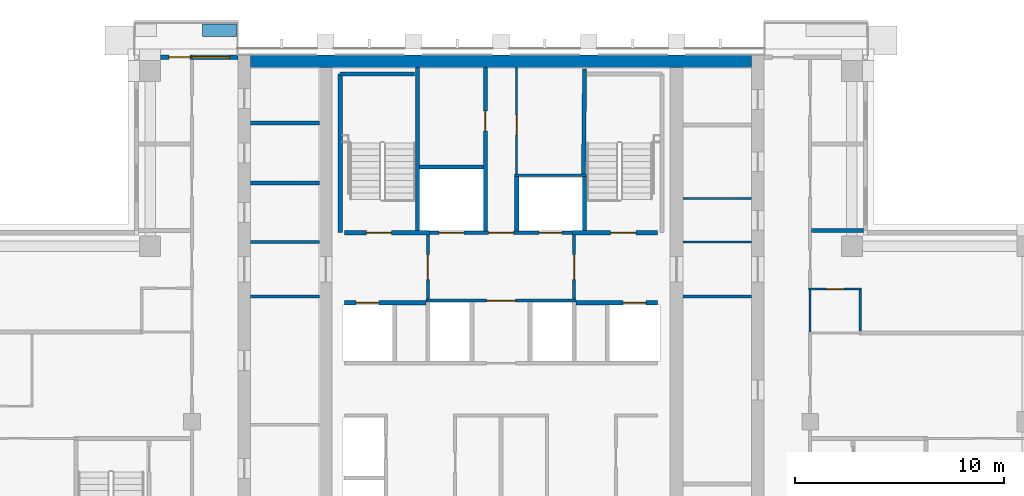
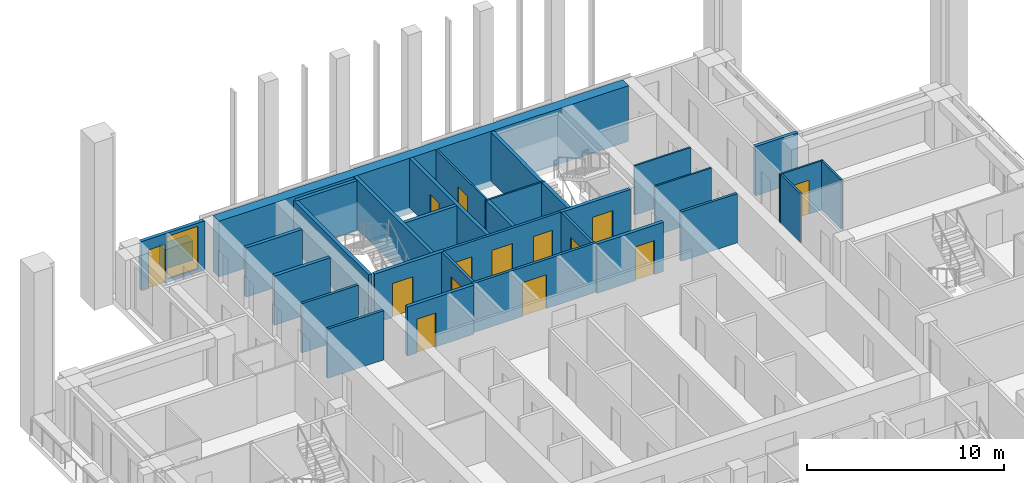
# One storey, part 12 of 17: 32 walls, 14 doors, 1 window, 15 openings.
"""IFC4 building model written with IfcOpenShell, lengths in metres."""

from ifc_helpers import new_model, si_unit, direction, frame, frame_2d, origin, place, context, subcontext, project, spatial, rectangle, extrude, material, layer, layer_set, type_object, element, fill, save


model = new_model("IFC4")

# Units and contexts
model_context = context("Model", 3, precision=1e-05, world=origin(), true_north=direction((0.0, 1.0)))
body_context = subcontext(model_context, "Body", "Model", "MODEL_VIEW")
ifc_project = project(units=[si_unit("LENGTHUNIT", "METRE"), si_unit("AREAUNIT", "SQUARE_METRE"), si_unit("VOLUMEUNIT", "CUBIC_METRE"), si_unit("PLANEANGLEUNIT", "RADIAN"), si_unit("MASSUNIT", "GRAM", prefix="KILO")], contexts=[model_context])

# Site, building, storey
site_placement = place(None, origin())
site = spatial("IfcSite", under=ifc_project, at=site_placement, CompositionType="ELEMENT")
building_placement = place(site_placement, origin())
building = spatial("IfcBuilding", under=site, at=building_placement, Name="Vermilion Ogive Tower", CompositionType="ELEMENT")
storey_placement = place(building_placement, frame((0.0, 0.0, 175.550048828125)))
storey = spatial("IfcBuildingStorey", under=building, at=storey_placement, Name="L45", CompositionType="ELEMENT", Elevation=175.550048828125)

# Wall
ifc_material_1 = material(Name="Concrete B60", Category="concrete")
ifc_layer_1 = layer(ifc_material_1, 0.60009765625)
ifc_layer_set_1 = layer_set([ifc_layer_1], Name="Core wall 600 B60")
wall_type_1 = type_object("IfcWallType", Name="Core wall 600 B60", PredefinedType="SHEAR", material=ifc_layer_set_1)
wall_1_placement = place(storey_placement, frame((-12.0, 21.449951171875, -0.400146484375), z_axis=(0.0, 0.0, 1.0), x_axis=(1.0, 0.0, 0.0)))
element("IfcWall", 1, at=wall_1_placement, inside=storey, type_object=wall_type_1, Name="L45-CORE-N", PredefinedType="SHEAR", context=body_context, shape_type="SweptSolid", body=[
    extrude(rectangle(XDim=24.0, YDim=0.60009765625, at=frame_2d((12.0, 0.0))), origin(), (0.0, 0.0, 1.0), 3.4501953125),
])

# Wall, opening, door
ifc_material_2 = material(Name="Gypsum board partition on steel studs", Category="steel")
ifc_layer_2 = layer(ifc_material_2, 0.10009765625)
ifc_layer_set_2 = layer_set([ifc_layer_2], Name="Partition 100 bath")
wall_type_2 = type_object("IfcWallType", Name="Partition 100 bath", PredefinedType="PARTITIONING", material=ifc_layer_set_2)
wall_2_placement = place(storey_placement, frame((14.72509765625, 10.550048828125, 0.0), z_axis=(0.0, 0.0, 1.0), x_axis=(1.0, 0.0, 0.0)))
wall_2 = element("IfcWall", 2, at=wall_2_placement, inside=storey, type_object=wall_type_2, Name="L45-W-W036", PredefinedType="PARTITIONING", context=body_context, shape_type="SweptSolid", body=[
    extrude(rectangle(XDim=2.52490234375, YDim=0.10009765625, at=frame_2d((1.262451171875, 0.0))), origin(), (0.0, 0.0, 1.0), 3.050048828125),
])
opening_1_placement = place(wall_2_placement, frame((0.849853515625, 0.0, 0.0)))
opening_1 = element("IfcOpeningElement", 3, at=opening_1_placement, cuts=wall_2, Name="Opening D4G1024", PredefinedType="OPENING", context=body_context, shape_type="SweptSolid", body=[
    extrude(rectangle(XDim=0.85009765625, YDim=2.10009765625, at=frame_2d((0.425048828125, 1.050048828125))), frame((0.0, 0.06005859375, 0.0), z_axis=(0.0, -1.0, 0.0), x_axis=(1.0, 0.0, 0.0)), (0.0, 0.0, 1.0), 0.1201171875),
])
ifc_material_3 = material(Name="Timber door leaf", Category="wood")
door_type_1 = type_object("IfcDoorType", Name="Bath door 850 x 2100 FD30", OperationType="SINGLE_SWING_LEFT", PredefinedType="DOOR", material=ifc_material_3)
door_1_placement = place(opening_1_placement, origin())
door_1 = element("IfcDoor", 4, at=door_1_placement, inside=storey, type_object=door_type_1, Name="L45-D-D024", OperationType="SINGLE_SWING_RIGHT", OverallHeight=2.10009765625, OverallWidth=0.85009765625, PredefinedType="DOOR", context=body_context, shape_type="SweptSolid", body=[
    extrude(rectangle(XDim=0.85009765625, YDim=2.10009765625, at=frame_2d((0.425048828125, 1.050048828125))), frame((0.0, 0.02490234375, 0.0), z_axis=(0.0, -1.0, 0.0), x_axis=(1.0, 0.0, 0.0)), (0.0, 0.0, 1.0), 0.050048828125),
])
fill(opening_1, door_1)

# Walls
wall_3_placement = place(storey_placement, frame((14.800048828125, 8.5, 0.0), z_axis=(0.0, 0.0, 1.0), x_axis=(0.0, 1.0, 0.0)))
element("IfcWall", 5, at=wall_3_placement, inside=storey, type_object=wall_type_2, Name="L45-W-W073", PredefinedType="PARTITIONING", context=body_context, shape_type="SweptSolid", body=[
    extrude(rectangle(XDim=2.0, YDim=0.10009765625, at=frame_2d((1.0, 0.0))), origin(), (0.0, 0.0, 1.0), 3.050048828125),
])
wall_4_placement = place(storey_placement, frame((17.199951171875, 8.550048828125, 0.0), z_axis=(0.0, 0.0, 1.0), x_axis=(0.0, 1.0, 0.0)))
element("IfcWall", 6, at=wall_4_placement, inside=storey, type_object=wall_type_2, Name="L45-W-W076", PredefinedType="PARTITIONING", context=body_context, shape_type="SweptSolid", body=[
    extrude(rectangle(XDim=1.949951171875, YDim=0.10009765625, at=frame_2d((0.97509765625, 0.0))), origin(), (0.0, 0.0, 1.0), 3.050048828125),
])
wall_5_placement = place(storey_placement, frame((0.64990234375, 16.0, 0.0), z_axis=(0.0, 0.0, 1.0), x_axis=(1.0, 0.0, 0.0)))
element("IfcWall", 7, at=wall_5_placement, inside=storey, type_object=wall_type_2, Name="L45-CK-W-W018", PredefinedType="PARTITIONING", context=body_context, shape_type="SweptSolid", body=[
    extrude(rectangle(XDim=3.4501953125, YDim=0.10009765625, at=frame_2d((1.72509765625, 0.0))), origin(), (0.0, 0.0, 1.0), 3.050048828125),
])

# Wall, opening, door
wall_6_placement = place(storey_placement, frame((0.75, 16.050048828125, 0.0), z_axis=(0.0, 0.0, 1.0), x_axis=(0.0, 1.0, 0.0)))
wall_6 = element("IfcWall", 8, at=wall_6_placement, inside=storey, type_object=wall_type_2, Name="L45-CK-W-W030", PredefinedType="PARTITIONING", context=body_context, shape_type="SweptSolid", body=[
    extrude(rectangle(XDim=5.098876953125, YDim=0.10009765625, at=frame_2d((2.54931640625, 0.0))), origin(), (0.0, 0.0, 1.0), 3.050048828125),
])
opening_2_placement = place(wall_6_placement, frame((1.875, 0.0, 0.0)))
opening_2 = element("IfcOpeningElement", 9, at=opening_2_placement, cuts=wall_6, Name="Opening DAA407", PredefinedType="OPENING", context=body_context, shape_type="SweptSolid", body=[
    extrude(rectangle(XDim=0.949951171875, YDim=2.10009765625, at=frame_2d((0.47509765625, 1.050048828125))), frame((0.0, 0.06005859375, 0.0), z_axis=(0.0, -1.0, 0.0), x_axis=(1.0, 0.0, 0.0)), (0.0, 0.0, 1.0), 0.1201171875),
])
ifc_material_4 = material(Name="Timber door leaf", Category="wood")
door_type_2 = type_object("IfcDoorType", Name="Service door 950 x 2100 FD60", OperationType="SINGLE_SWING_LEFT", PredefinedType="DOOR", material=ifc_material_4)
door_2_placement = place(opening_2_placement, origin())
door_2 = element("IfcDoor", 10, at=door_2_placement, inside=storey, type_object=door_type_2, Name="L45-CK-D-D022", OperationType="SINGLE_SWING_LEFT", OverallHeight=2.10009765625, OverallWidth=0.949951171875, PredefinedType="DOOR", context=body_context, shape_type="SweptSolid", body=[
    extrude(rectangle(XDim=0.949951171875, YDim=2.10009765625, at=frame_2d((0.47509765625, 1.050048828125))), frame((0.0, 0.02490234375, 0.0), z_axis=(0.0, -1.0, 0.0), x_axis=(1.0, 0.0, 0.0)), (0.0, 0.0, 1.0), 0.050048828125),
])
fill(opening_2, door_2)

# Walls
for number, where, z_axis, x_axis, name in (
    (11, (8.700927734375, 12.800048828125, 0.0), (0.0, 0.0, 1.0), (1.0, 0.0, 0.0), "L45-CKE-W-W003"),
    (12, (8.700927734375, 14.89111328125, 0.0), (0.0, 0.0, 1.0), (1.0, 0.0, 0.0), "L45-CKE-W-W004"),
):
    element("IfcWall", number, at=place(storey_placement, frame(where, z_axis=z_axis, x_axis=x_axis)), inside=storey, type_object=wall_type_2, Name=name, PredefinedType="PARTITIONING", context=body_context, shape_type="SweptSolid", body=[
        extrude(rectangle(XDim=3.298095703125, YDim=0.10009765625, at=frame_2d((1.64892578125, 0.0))), origin(), (0.0, 0.0, 1.0), 3.050048828125),
    ])

# Wall, opening, door
ifc_material_5 = material(Name="Gypsum board partition on steel studs", Category="steel")
ifc_layer_3 = layer(ifc_material_5, 0.14990234375)
ifc_layer_set_3 = layer_set([ifc_layer_3], Name="Partition 150 corridor")
wall_type_3 = type_object("IfcWallType", Name="Partition 150 corridor", PredefinedType="PARTITIONING", material=ifc_layer_set_3)
wall_7_placement = place(storey_placement, frame((-3.60009765625, 10.0, 0.0), z_axis=(0.0, 0.0, 1.0), x_axis=(1.0, 0.0, 0.0)))
wall_7 = element("IfcWall", 13, at=wall_7_placement, inside=storey, type_object=wall_type_3, Name="L45-CK-W-W014", PredefinedType="PARTITIONING", context=body_context, shape_type="SweptSolid", body=[
    extrude(rectangle(XDim=7.2001953125, YDim=0.14990234375, at=frame_2d((3.60009765625, 0.0))), origin(), (0.0, 0.0, 1.0), 3.050048828125),
])
opening_3_placement = place(wall_7_placement, frame((2.900146484375, 0.0, 0.0)))
opening_3 = element("IfcOpeningElement", 14, at=opening_3_placement, cuts=wall_7, Name="Opening DAA398", PredefinedType="OPENING", context=body_context, shape_type="SweptSolid", body=[
    extrude(rectangle(XDim=1.39990234375, YDim=2.10009765625, at=frame_2d((0.699951171875, 1.050048828125))), frame((0.0, 0.0849609375, 0.0), z_axis=(0.0, -1.0, 0.0), x_axis=(1.0, 0.0, 0.0)), (0.0, 0.0, 1.0), 0.169921875),
])
ifc_material_6 = material(Name="Timber door leaf", Category="wood")
door_type_3 = type_object("IfcDoorType", Name="Lobby door 1400 x 2100 FD60S", OperationType="SINGLE_SWING_LEFT", PredefinedType="DOOR", material=ifc_material_6)
door_3_placement = place(opening_3_placement, origin())
door_3 = element("IfcDoor", 15, at=door_3_placement, inside=storey, type_object=door_type_3, Name="L45-CK-D-D017", OperationType="SINGLE_SWING_RIGHT", OverallHeight=2.10009765625, OverallWidth=1.39990234375, PredefinedType="DOOR", context=body_context, shape_type="SweptSolid", body=[
    extrude(rectangle(XDim=1.39990234375, YDim=2.10009765625, at=frame_2d((0.699951171875, 1.050048828125))), frame((0.0, 0.02490234375, 0.0), z_axis=(0.0, -1.0, 0.0), x_axis=(1.0, 0.0, 0.0)), (0.0, 0.0, 1.0), 0.050048828125),
])
fill(opening_3, door_3)

# Wall, openings, doors
wall_8_placement = place(storey_placement, frame((-3.574951171875, 13.25, 0.0), z_axis=(0.0, 0.0, 1.0), x_axis=(1.0, 0.0, 0.0)))
wall_8 = element("IfcWall", 16, at=wall_8_placement, inside=storey, type_object=wall_type_3, Name="L45-CK-W-W016", PredefinedType="PARTITIONING", context=body_context, shape_type="SweptSolid", body=[
    extrude(rectangle(XDim=7.14990234375, YDim=0.14990234375, at=frame_2d((3.574951171875, 0.0))), origin(), (0.0, 0.0, 1.0), 3.050048828125),
])
opening_4_placement = place(wall_8_placement, frame((0.599853515625, 0.0, 0.0)))
opening_4 = element("IfcOpeningElement", 17, at=opening_4_placement, cuts=wall_8, Name="Opening DAA418", PredefinedType="OPENING", context=body_context, shape_type="SweptSolid", body=[
    extrude(rectangle(XDim=1.199951171875, YDim=2.10009765625, at=frame_2d((0.60009765625, 1.050048828125))), frame((0.0, 0.0849609375, 0.0), z_axis=(0.0, -1.0, 0.0), x_axis=(1.0, 0.0, 0.0)), (0.0, 0.0, 1.0), 0.169921875),
])
opening_5_placement = place(wall_8_placement, frame((5.39990234375, 0.0, 0.0)))
opening_5 = element("IfcOpeningElement", 18, at=opening_5_placement, cuts=wall_8, Name="Opening DAA417", PredefinedType="OPENING", context=body_context, shape_type="SweptSolid", body=[
    extrude(rectangle(XDim=1.10009765625, YDim=2.10009765625, at=frame_2d((0.550048828125, 1.050048828125))), frame((0.0, 0.0849609375, 0.0), z_axis=(0.0, -1.0, 0.0), x_axis=(1.0, 0.0, 0.0)), (0.0, 0.0, 1.0), 0.169921875),
])
opening_6_placement = place(wall_8_placement, frame((2.974853515625, 0.0, 0.0)))
opening_6 = element("IfcOpeningElement", 19, at=opening_6_placement, cuts=wall_8, Name="Opening DAA399", PredefinedType="OPENING", context=body_context, shape_type="SweptSolid", body=[
    extrude(rectangle(XDim=1.199951171875, YDim=2.10009765625, at=frame_2d((0.60009765625, 1.050048828125))), frame((0.0, 0.0849609375, 0.0), z_axis=(0.0, -1.0, 0.0), x_axis=(1.0, 0.0, 0.0)), (0.0, 0.0, 1.0), 0.169921875),
])
ifc_material_7 = material(Name="Stainless steel", Category="steel")
door_type_4 = type_object("IfcDoorType", Name="Lift landing door 1100 x 2100", OperationType="SLIDING_TO_LEFT", PredefinedType="DOOR", material=ifc_material_7)
door_4_placement = place(opening_5_placement, origin())
door_4 = element("IfcDoor", 20, at=door_4_placement, inside=storey, type_object=door_type_4, Name="L45-CK-D-D019", OperationType="SLIDING_TO_LEFT", OverallHeight=2.10009765625, OverallWidth=1.10009765625, PredefinedType="DOOR", context=body_context, shape_type="SweptSolid", body=[
    extrude(rectangle(XDim=1.10009765625, YDim=2.10009765625, at=frame_2d((0.550048828125, 1.050048828125))), frame((0.0, 0.02490234375, 0.0), z_axis=(0.0, -1.0, 0.0), x_axis=(1.0, 0.0, 0.0)), (0.0, 0.0, 1.0), 0.050048828125),
])
fill(opening_5, door_4)
ifc_material_8 = material(Name="Stainless steel", Category="steel")
door_type_5 = type_object("IfcDoorType", Name="Lift landing door 1200 x 2100", OperationType="SLIDING_TO_LEFT", PredefinedType="DOOR", material=ifc_material_8)
door_5_placement = place(opening_4_placement, origin())
door_5 = element("IfcDoor", 21, at=door_5_placement, inside=storey, type_object=door_type_5, Name="L45-CK-D-D018", OperationType="SLIDING_TO_RIGHT", OverallHeight=2.10009765625, OverallWidth=1.199951171875, PredefinedType="DOOR", context=body_context, shape_type="SweptSolid", body=[
    extrude(rectangle(XDim=1.199951171875, YDim=2.10009765625, at=frame_2d((0.60009765625, 1.050048828125))), frame((0.0, 0.02490234375, 0.0), z_axis=(0.0, -1.0, 0.0), x_axis=(1.0, 0.0, 0.0)), (0.0, 0.0, 1.0), 0.050048828125),
])
fill(opening_4, door_5)
ifc_material_9 = material(Name="Timber door leaf", Category="wood")
door_type_6 = type_object("IfcDoorType", Name="Service door 1200 x 2100 FD60", OperationType="SINGLE_SWING_LEFT", PredefinedType="DOOR", material=ifc_material_9)
door_6_placement = place(opening_6_placement, origin())
door_6 = element("IfcDoor", 22, at=door_6_placement, inside=storey, type_object=door_type_6, Name="L45-CK-D-D020", OperationType="SINGLE_SWING_RIGHT", OverallHeight=2.10009765625, OverallWidth=1.199951171875, PredefinedType="DOOR", context=body_context, shape_type="SweptSolid", body=[
    extrude(rectangle(XDim=1.199951171875, YDim=2.10009765625, at=frame_2d((0.60009765625, 1.050048828125))), frame((0.0, 0.02490234375, 0.0), z_axis=(0.0, -1.0, 0.0), x_axis=(1.0, 0.0, 0.0)), (0.0, 0.0, 1.0), 0.050048828125),
])
fill(opening_6, door_6)

# Wall, opening, door
wall_9_placement = place(storey_placement, frame((-3.5, 10.074951171875, 0.0), z_axis=(0.0, 0.0, 1.0), x_axis=(0.0, 1.0, 0.0)))
wall_9 = element("IfcWall", 23, at=wall_9_placement, inside=storey, type_object=wall_type_3, Name="L45-CK-W-W024", PredefinedType="PARTITIONING", context=body_context, shape_type="SweptSolid", body=[
    extrude(rectangle(XDim=3.074951171875, YDim=0.14990234375, at=frame_2d((1.53759765625, 0.0))), origin(), (0.0, 0.0, 1.0), 3.050048828125),
])
opening_7_placement = place(wall_9_placement, frame((0.925048828125, 0.0, 0.0)))
opening_7 = element("IfcOpeningElement", 24, at=opening_7_placement, cuts=wall_9, Name="Opening DAA395", PredefinedType="OPENING", context=body_context, shape_type="SweptSolid", body=[
    extrude(rectangle(XDim=1.199951171875, YDim=2.10009765625, at=frame_2d((0.60009765625, 1.050048828125))), frame((0.0, 0.0849609375, 0.0), z_axis=(0.0, -1.0, 0.0), x_axis=(1.0, 0.0, 0.0)), (0.0, 0.0, 1.0), 0.169921875),
])
ifc_material_10 = material(Name="Timber door leaf", Category="wood")
door_type_7 = type_object("IfcDoorType", Name="Lobby door 1200 x 2100 FD60S", OperationType="SINGLE_SWING_LEFT", PredefinedType="DOOR", material=ifc_material_10)
door_7_placement = place(opening_7_placement, origin())
door_7 = element("IfcDoor", 25, at=door_7_placement, inside=storey, type_object=door_type_7, Name="L45-CK-D-D023", OperationType="SINGLE_SWING_RIGHT", OverallHeight=2.10009765625, OverallWidth=1.199951171875, PredefinedType="DOOR", context=body_context, shape_type="SweptSolid", body=[
    extrude(rectangle(XDim=1.199951171875, YDim=2.10009765625, at=frame_2d((0.60009765625, 1.050048828125))), frame((0.0, 0.02490234375, 0.0), z_axis=(0.0, -1.0, 0.0), x_axis=(1.0, 0.0, 0.0)), (0.0, 0.0, 1.0), 0.050048828125),
])
fill(opening_7, door_7)

wall_10_placement = place(storey_placement, frame((3.5, 10.074951171875, 0.0), z_axis=(0.0, 0.0, 1.0), x_axis=(0.0, 1.0, 0.0)))
wall_10 = element("IfcWall", 26, at=wall_10_placement, inside=storey, type_object=wall_type_3, Name="L45-CK-W-W034", PredefinedType="PARTITIONING", context=body_context, shape_type="SweptSolid", body=[
    extrude(rectangle(XDim=3.074951171875, YDim=0.14990234375, at=frame_2d((1.53759765625, 0.0))), origin(), (0.0, 0.0, 1.0), 3.050048828125),
])
opening_8_placement = place(wall_10_placement, frame((0.925048828125, 0.0, 0.0)))
opening_8 = element("IfcOpeningElement", 27, at=opening_8_placement, cuts=wall_10, Name="Opening DAA396", PredefinedType="OPENING", context=body_context, shape_type="SweptSolid", body=[
    extrude(rectangle(XDim=1.199951171875, YDim=2.10009765625, at=frame_2d((0.60009765625, 1.050048828125))), frame((0.0, 0.0849609375, 0.0), z_axis=(0.0, -1.0, 0.0), x_axis=(1.0, 0.0, 0.0)), (0.0, 0.0, 1.0), 0.169921875),
])
door_8_placement = place(opening_8_placement, origin())
door_8 = element("IfcDoor", 28, at=door_8_placement, inside=storey, type_object=door_type_7, Name="L45-CK-D-D024", OperationType="SINGLE_SWING_LEFT", OverallHeight=2.10009765625, OverallWidth=1.199951171875, PredefinedType="DOOR", context=body_context, shape_type="SweptSolid", body=[
    extrude(rectangle(XDim=1.199951171875, YDim=2.10009765625, at=frame_2d((0.60009765625, 1.050048828125))), frame((0.0, 0.02490234375, 0.0), z_axis=(0.0, -1.0, 0.0), x_axis=(1.0, 0.0, 0.0)), (0.0, 0.0, 1.0), 0.050048828125),
])
fill(opening_8, door_8)

# Walls
for number, where, z_axis, x_axis, name in (
    (29, (-11.9990234375, 10.199951171875, 0.0), (0.0, 0.0, 1.0), (1.0, 0.0, 0.0), "L45-CKW-W-W003"),
    (30, (-11.9990234375, 12.800048828125, 0.0), (0.0, 0.0, 1.0), (1.0, 0.0, 0.0), "L45-CKW-W-W004"),
    (31, (8.700927734375, 10.199951171875, 0.0), (0.0, 0.0, 1.0), (1.0, 0.0, 0.0), "L45-CKE-W-W002"),
):
    element("IfcWall", number, at=place(storey_placement, frame(where, z_axis=z_axis, x_axis=x_axis)), inside=storey, type_object=wall_type_3, Name=name, PredefinedType="PARTITIONING", context=body_context, shape_type="SweptSolid", body=[
        extrude(rectangle(XDim=3.298095703125, YDim=0.14990234375, at=frame_2d((1.64892578125, 0.0))), origin(), (0.0, 0.0, 1.0), 3.050048828125),
    ])
ifc_material_11 = material(Name="Gypsum board partition on steel studs", Category="steel")
ifc_layer_4 = layer(ifc_material_11, 0.199951171875)
ifc_layer_set_4 = layer_set([ifc_layer_4], Name="Partition 200 party")
wall_type_4 = type_object("IfcWallType", Name="Partition 200 party", PredefinedType="PARTITIONING", material=ifc_layer_set_4)
wall_11_placement = place(storey_placement, frame((14.875, 13.35009765625, 0.0), z_axis=(0.0, 0.0, 1.0), x_axis=(1.0, 0.0, 0.0)))
element("IfcWall", 32, at=wall_11_placement, inside=storey, type_object=wall_type_4, Name="L45-W-W039", PredefinedType="PARTITIONING", context=body_context, shape_type="SweptSolid", body=[
    extrude(rectangle(XDim=2.47509765625, YDim=0.199951171875, at=frame_2d((1.237548828125, 0.0))), origin(), (0.0, 0.0, 1.0), 3.050048828125),
])

# Wall, opening, door
wall_12_placement = place(storey_placement, frame((-7.5, 9.89990234375, 0.0), z_axis=(0.0, 0.0, 1.0), x_axis=(1.0, 0.0, 0.0)))
wall_12 = element("IfcWall", 33, at=wall_12_placement, inside=storey, type_object=wall_type_4, Name="L45-CK-W-W012", PredefinedType="PARTITIONING", context=body_context, shape_type="SweptSolid", body=[
    extrude(rectangle(XDim=3.89990234375, YDim=0.199951171875, at=frame_2d((1.949951171875, 0.0))), origin(), (0.0, 0.0, 1.0), 3.050048828125),
])
opening_9_placement = place(wall_12_placement, frame((0.550048828125, 0.0, 0.0)))
opening_9 = element("IfcOpeningElement", 34, at=opening_9_placement, cuts=wall_12, Name="Opening DAA415", PredefinedType="OPENING", context=body_context, shape_type="SweptSolid", body=[
    extrude(rectangle(XDim=1.10009765625, YDim=2.10009765625, at=frame_2d((0.550048828125, 1.050048828125))), frame((0.0, 0.10986328125, 0.0), z_axis=(0.0, -1.0, 0.0), x_axis=(1.0, 0.0, 0.0)), (0.0, 0.0, 1.0), 0.219970703125),
])
door_9_placement = place(opening_9_placement, origin())
door_9 = element("IfcDoor", 35, at=door_9_placement, inside=storey, type_object=door_type_4, Name="L45-CK-D-D013", OperationType="SLIDING_TO_RIGHT", OverallHeight=2.10009765625, OverallWidth=1.10009765625, PredefinedType="DOOR", context=body_context, shape_type="SweptSolid", body=[
    extrude(rectangle(XDim=1.10009765625, YDim=2.10009765625, at=frame_2d((0.550048828125, 1.050048828125))), frame((0.0, 0.02490234375, 0.0), z_axis=(0.0, -1.0, 0.0), x_axis=(1.0, 0.0, 0.0)), (0.0, 0.0, 1.0), 0.050048828125),
])
fill(opening_9, door_9)

wall_13_placement = place(storey_placement, frame((3.60009765625, 9.89990234375, 0.0), z_axis=(0.0, 0.0, 1.0), x_axis=(1.0, 0.0, 0.0)))
wall_13 = element("IfcWall", 36, at=wall_13_placement, inside=storey, type_object=wall_type_4, Name="L45-CK-W-W013", PredefinedType="PARTITIONING", context=body_context, shape_type="SweptSolid", body=[
    extrude(rectangle(XDim=3.89990234375, YDim=0.199951171875, at=frame_2d((1.949951171875, 0.0))), origin(), (0.0, 0.0, 1.0), 3.050048828125),
])
opening_10_placement = place(wall_13_placement, frame((2.25, 0.0, 0.0)))
opening_10 = element("IfcOpeningElement", 37, at=opening_10_placement, cuts=wall_13, Name="Opening DAA416", PredefinedType="OPENING", context=body_context, shape_type="SweptSolid", body=[
    extrude(rectangle(XDim=1.10009765625, YDim=2.10009765625, at=frame_2d((0.550048828125, 1.050048828125))), frame((0.0, 0.10986328125, 0.0), z_axis=(0.0, -1.0, 0.0), x_axis=(1.0, 0.0, 0.0)), (0.0, 0.0, 1.0), 0.219970703125),
])
door_10_placement = place(opening_10_placement, origin())
door_10 = element("IfcDoor", 38, at=door_10_placement, inside=storey, type_object=door_type_4, Name="L45-CK-D-D015", OperationType="SLIDING_TO_LEFT", OverallHeight=2.10009765625, OverallWidth=1.10009765625, PredefinedType="DOOR", context=body_context, shape_type="SweptSolid", body=[
    extrude(rectangle(XDim=1.10009765625, YDim=2.10009765625, at=frame_2d((0.550048828125, 1.050048828125))), frame((0.0, 0.02490234375, 0.0), z_axis=(0.0, -1.0, 0.0), x_axis=(1.0, 0.0, 0.0)), (0.0, 0.0, 1.0), 0.050048828125),
])
fill(opening_10, door_10)

# Wall
wall_14_placement = place(storey_placement, frame((-3.89990234375, 16.39990234375, 0.0), z_axis=(0.0, 0.0, 1.0), x_axis=(1.0, 0.0, 0.0)))
element("IfcWall", 39, at=wall_14_placement, inside=storey, type_object=wall_type_4, Name="L45-CK-W-W019", PredefinedType="PARTITIONING", context=body_context, shape_type="SweptSolid", body=[
    extrude(rectangle(XDim=3.0498046875, YDim=0.199951171875, at=frame_2d((1.52490234375, 0.0))), origin(), (0.0, 0.0, 1.0), 3.050048828125),
])

# Wall, opening, door
wall_15_placement = place(storey_placement, frame((-0.75, 13.324951171875, 0.0), z_axis=(0.0, 0.0, 1.0), x_axis=(0.0, 1.0, 0.0)))
wall_15 = element("IfcWall", 40, at=wall_15_placement, inside=storey, type_object=wall_type_4, Name="L45-CK-W-W027", PredefinedType="PARTITIONING", context=body_context, shape_type="SweptSolid", body=[
    extrude(rectangle(XDim=7.823974609375, YDim=0.199951171875, at=frame_2d((3.912109375, 0.0))), origin(), (0.0, 0.0, 1.0), 3.050048828125),
])
opening_11_placement = place(wall_15_placement, frame((4.800048828125, 0.0, 0.0)))
opening_11 = element("IfcOpeningElement", 41, at=opening_11_placement, cuts=wall_15, Name="Opening DAA406", PredefinedType="OPENING", context=body_context, shape_type="SweptSolid", body=[
    extrude(rectangle(XDim=0.949951171875, YDim=2.10009765625, at=frame_2d((0.47509765625, 1.050048828125))), frame((0.0, 0.10986328125, 0.0), z_axis=(0.0, -1.0, 0.0), x_axis=(1.0, 0.0, 0.0)), (0.0, 0.0, 1.0), 0.219970703125),
])
door_11_placement = place(opening_11_placement, origin())
door_11 = element("IfcDoor", 42, at=door_11_placement, inside=storey, type_object=door_type_2, Name="L45-CK-D-D021", OperationType="SINGLE_SWING_RIGHT", OverallHeight=2.10009765625, OverallWidth=0.949951171875, PredefinedType="DOOR", context=body_context, shape_type="SweptSolid", body=[
    extrude(rectangle(XDim=0.949951171875, YDim=2.10009765625, at=frame_2d((0.47509765625, 1.050048828125))), frame((0.0, 0.02490234375, 0.0), z_axis=(0.0, -1.0, 0.0), x_axis=(1.0, 0.0, 0.0)), (0.0, 0.0, 1.0), 0.050048828125),
])
fill(opening_11, door_11)

# Walls
wall_16_placement = place(storey_placement, frame((0.75, 13.324951171875, 0.0), z_axis=(0.0, 0.0, 1.0), x_axis=(0.0, 1.0, 0.0)))
element("IfcWall", 43, at=wall_16_placement, inside=storey, type_object=wall_type_4, Name="L45-CK-W-W029", PredefinedType="PARTITIONING", context=body_context, shape_type="SweptSolid", body=[
    extrude(rectangle(XDim=2.625, YDim=0.199951171875, at=frame_2d((1.3125, 0.0))), origin(), (0.0, 0.0, 1.0), 3.050048828125),
])
for number, where, z_axis, x_axis, name in (
    (44, (-11.9990234375, 15.636962890625, 0.0), (0.0, 0.0, 1.0), (1.0, 0.0, 0.0), "L45-CKW-W-W005"),
    (45, (-11.9990234375, 18.509033203125, 0.0), (0.0, 0.0, 1.0), (1.0, 0.0, 0.0), "L45-CKW-W-W006"),
):
    element("IfcWall", number, at=place(storey_placement, frame(where, z_axis=z_axis, x_axis=x_axis)), inside=storey, type_object=wall_type_4, Name=name, PredefinedType="PARTITIONING", context=body_context, shape_type="SweptSolid", body=[
        extrude(rectangle(XDim=3.298095703125, YDim=0.199951171875, at=frame_2d((1.64892578125, 0.0))), origin(), (0.0, 0.0, 1.0), 3.050048828125),
    ])

# Wall, opening, door
ifc_material_12 = material(Name="Concrete B60", Category="concrete")
ifc_layer_5 = layer(ifc_material_12, 0.199951171875)
ifc_layer_set_5 = layer_set([ifc_layer_5], Name="Stair shaft wall 200 Concrete B60")
wall_type_5 = type_object("IfcWallType", Name="Stair shaft wall 200 Concrete B60", PredefinedType="SOLIDWALL", material=ifc_layer_set_5)
wall_17_placement = place(storey_placement, frame((-7.5, 13.25, 0.0), z_axis=(0.0, 0.0, 1.0), x_axis=(1.0, 0.0, 0.0)))
wall_17 = element("IfcWall", 46, at=wall_17_placement, inside=storey, type_object=wall_type_5, Name="L45-CK-W-W015", PredefinedType="SOLIDWALL", context=body_context, shape_type="SweptSolid", body=[
    extrude(rectangle(XDim=4.074951171875, YDim=0.199951171875, at=frame_2d((2.03759765625, 0.0))), origin(), (0.0, 0.0, 1.0), 3.050048828125),
])
opening_12_placement = place(wall_17_placement, frame((1.050048828125, 0.0, 0.0)))
opening_12 = element("IfcOpeningElement", 47, at=opening_12_placement, cuts=wall_17, Name="Opening DAA408", PredefinedType="OPENING", context=body_context, shape_type="SweptSolid", body=[
    extrude(rectangle(XDim=1.199951171875, YDim=2.10009765625, at=frame_2d((0.60009765625, 1.050048828125))), frame((0.0, 0.10986328125, 0.0), z_axis=(0.0, -1.0, 0.0), x_axis=(1.0, 0.0, 0.0)), (0.0, 0.0, 1.0), 0.219970703125),
])
ifc_material_13 = material(Name="Timber door leaf", Category="wood")
door_type_8 = type_object("IfcDoorType", Name="Stair door 1200 x 2100 FD60S", OperationType="SINGLE_SWING_LEFT", PredefinedType="DOOR", material=ifc_material_13)
door_12_placement = place(opening_12_placement, origin())
door_12 = element("IfcDoor", 48, at=door_12_placement, inside=storey, type_object=door_type_8, Name="L45-CK-D-D012", OperationType="SINGLE_SWING_LEFT", OverallHeight=2.10009765625, OverallWidth=1.199951171875, PredefinedType="DOOR", context=body_context, shape_type="SweptSolid", body=[
    extrude(rectangle(XDim=1.199951171875, YDim=2.10009765625, at=frame_2d((0.60009765625, 1.050048828125))), frame((0.0, 0.02490234375, 0.0), z_axis=(0.0, -1.0, 0.0), x_axis=(1.0, 0.0, 0.0)), (0.0, 0.0, 1.0), 0.050048828125),
])
fill(opening_12, door_12)

wall_18_placement = place(storey_placement, frame((3.425048828125, 13.25, 0.0), z_axis=(0.0, 0.0, 1.0), x_axis=(1.0, 0.0, 0.0)))
wall_18 = element("IfcWall", 49, at=wall_18_placement, inside=storey, type_object=wall_type_5, Name="L45-CK-W-W017", PredefinedType="SOLIDWALL", context=body_context, shape_type="SweptSolid", body=[
    extrude(rectangle(XDim=4.074951171875, YDim=0.199951171875, at=frame_2d((2.03759765625, 0.0))), origin(), (0.0, 0.0, 1.0), 3.050048828125),
])
opening_13_placement = place(wall_18_placement, frame((1.824951171875, 0.0, 0.0)))
opening_13 = element("IfcOpeningElement", 50, at=opening_13_placement, cuts=wall_18, Name="Opening DAA409", PredefinedType="OPENING", context=body_context, shape_type="SweptSolid", body=[
    extrude(rectangle(XDim=1.199951171875, YDim=2.10009765625, at=frame_2d((0.60009765625, 1.050048828125))), frame((0.0, 0.10986328125, 0.0), z_axis=(0.0, -1.0, 0.0), x_axis=(1.0, 0.0, 0.0)), (0.0, 0.0, 1.0), 0.219970703125),
])
door_13_placement = place(opening_13_placement, origin())
door_13 = element("IfcDoor", 51, at=door_13_placement, inside=storey, type_object=door_type_8, Name="L45-CK-D-D014", OperationType="SINGLE_SWING_RIGHT", OverallHeight=2.10009765625, OverallWidth=1.199951171875, PredefinedType="DOOR", context=body_context, shape_type="SweptSolid", body=[
    extrude(rectangle(XDim=1.199951171875, YDim=2.10009765625, at=frame_2d((0.60009765625, 1.050048828125))), frame((0.0, 0.02490234375, 0.0), z_axis=(0.0, -1.0, 0.0), x_axis=(1.0, 0.0, 0.0)), (0.0, 0.0, 1.0), 0.050048828125),
])
fill(opening_13, door_13)

# Walls
wall_19_placement = place(storey_placement, frame((-4.0, 13.35009765625, 0.0), z_axis=(0.0, 0.0, 1.0), x_axis=(0.0, 1.0, 0.0)))
element("IfcWall", 52, at=wall_19_placement, inside=storey, type_object=wall_type_5, Name="L45-CK-W-W022", PredefinedType="SOLIDWALL", context=body_context, shape_type="SweptSolid", body=[
    extrude(rectangle(XDim=7.798828125, YDim=0.199951171875, at=frame_2d((3.8994140625, 0.0))), origin(), (0.0, 0.0, 1.0), 3.050048828125),
])
wall_20_placement = place(storey_placement, frame((4.0, 13.35009765625, 0.0), z_axis=(0.0, 0.0, 1.0), x_axis=(0.0, 1.0, 0.0)))
element("IfcWall", 53, at=wall_20_placement, inside=storey, type_object=wall_type_5, Name="L45-CK-W-W035", PredefinedType="SOLIDWALL", context=body_context, shape_type="SweptSolid", body=[
    extrude(rectangle(XDim=2.599853515625, YDim=0.199951171875, at=frame_2d((1.2998046875, 0.0))), origin(), (0.0, 0.0, 1.0), 3.050048828125),
])
wall_21_placement = place(storey_placement, frame((3.949951171875, 16.050048828125, 0.0), z_axis=(0.0, 0.0, 1.0), x_axis=(0.009911993103, 0.99995087499, 0.0)))
element("IfcWall", 54, at=wall_21_placement, inside=storey, type_object=wall_type_5, Name="L45-CK-W-W036", PredefinedType="SOLIDWALL", context=body_context, shape_type="SweptSolid", body=[
    extrude(rectangle(XDim=5.04931640625, YDim=0.199951171875, at=frame_2d((2.524658203125, 0.0))), origin(), (0.0, 0.0, 1.0), 3.050048828125),
])
wall_22_placement = place(storey_placement, frame((-7.699951171875, 13.25, 0.0), z_axis=(0.0, 0.0, 1.0), x_axis=(0.0, 1.0, 0.0)))
element("IfcWall", 55, at=wall_22_placement, inside=storey, type_object=wall_type_5, Name="L45-SW-R017-W1", PredefinedType="SOLIDWALL", context=body_context, shape_type="SweptSolid", body=[
    extrude(rectangle(XDim=7.60009765625, YDim=0.199951171875, at=frame_2d((3.800048828125, 0.0))), origin(), (0.0, 0.0, 1.0), 3.050048828125),
])
wall_23_placement = place(storey_placement, frame((-7.699951171875, 20.85009765625, 0.0), z_axis=(0.0, 0.0, 1.0), x_axis=(1.0, 0.0, 0.0)))
element("IfcWall", 56, at=wall_23_placement, inside=storey, type_object=wall_type_5, Name="L45-SW-R017-N1", PredefinedType="SOLIDWALL", context=body_context, shape_type="SweptSolid", body=[
    extrude(rectangle(XDim=3.550048828125, YDim=0.199951171875, at=frame_2d((1.77490234375, 0.0))), origin(), (0.0, 0.0, 1.0), 3.050048828125),
])
ifc_material_14 = material(Name="Concrete B40", Category="concrete")
ifc_layer_6 = layer(ifc_material_14, 0.60009765625)
ifc_layer_set_6 = layer_set([ifc_layer_6], Name="Structural planter")
wall_type_6 = type_object("IfcWallType", Name="Structural planter", PredefinedType="USERDEFINED", material=ifc_layer_set_6)
wall_24_placement = place(storey_placement, frame((-12.659912109375, 22.9541015625, -0.0400390625), z_axis=(0.0, 0.0, 1.0), x_axis=(-1.0, 0.0, 0.0)))
element("IfcWall", 57, at=wall_24_placement, inside=storey, type_object=wall_type_6, Name="Planter N201A1", ObjectType="PLANTER", PredefinedType="USERDEFINED", context=body_context, shape_type="SweptSolid", body=[
    extrude(rectangle(XDim=1.64013671875, YDim=0.60009765625, at=frame_2d((0.820068359375, 0.0))), origin(), (0.0, 0.0, 1.0), 1.199951171875),
])

# Wall, openings, door, window
ifc_material_15 = material(Name="Aluminium window wall framing", Category="aluminium")
ifc_layer_7 = layer(ifc_material_15, 0.199951171875)
ifc_layer_set_7 = layer_set([ifc_layer_7], Name="Window wall")
wall_type_7 = type_object("IfcWallType", Name="Window wall", PredefinedType="STANDARD", material=ifc_layer_set_7)
wall_25_placement = place(storey_placement, frame((-12.60009765625, 21.64990234375, 0.0), z_axis=(0.0, 0.0, 1.0), x_axis=(-1.0, 0.0, 0.0)))
wall_25 = element("IfcWall", 58, at=wall_25_placement, inside=storey, type_object=wall_type_7, Name="Window wall N21", PredefinedType="STANDARD", context=body_context, shape_type="SweptSolid", body=[
    extrude(rectangle(XDim=3.699951171875, YDim=0.199951171875, at=frame_2d((1.85009765625, 0.0))), origin(), (0.0, 0.0, 1.0), 3.050048828125),
])
opening_14_placement = place(wall_25_placement, frame((0.39990234375, 0.0, 0.199951171875)))
opening_14 = element("IfcOpeningElement", 59, at=opening_14_placement, cuts=wall_25, Name="Opening W1-N296", PredefinedType="OPENING", context=body_context, shape_type="SweptSolid", body=[
    extrude(rectangle(XDim=1.800048828125, YDim=2.64990234375, at=frame_2d((0.89990234375, 1.324951171875))), frame((0.0, 0.10986328125, 0.0), z_axis=(0.0, -1.0, 0.0), x_axis=(1.0, 0.0, 0.0)), (0.0, 0.0, 1.0), 0.219970703125),
])
opening_15_placement = place(wall_25_placement, frame((2.300048828125, 0.0, 0.0)))
opening_15 = element("IfcOpeningElement", 60, at=opening_15_placement, cuts=wall_25, Name="Opening D1-N296", PredefinedType="OPENING", context=body_context, shape_type="SweptSolid", body=[
    extrude(rectangle(XDim=1.0, YDim=2.39990234375, at=frame_2d((0.5, 1.199951171875))), frame((0.0, 0.10986328125, 0.0), z_axis=(0.0, -1.0, 0.0), x_axis=(1.0, 0.0, 0.0)), (0.0, 0.0, 1.0), 0.219970703125),
])
ifc_material_16 = material(Name="Aluminium framed glazed door", Category="aluminium")
door_type_9 = type_object("IfcDoorType", Name="Balcony door D1", OperationType="SINGLE_SWING_LEFT", PredefinedType="DOOR", material=ifc_material_16)
door_14_placement = place(opening_15_placement, origin())
door_14 = element("IfcDoor", 61, at=door_14_placement, inside=storey, type_object=door_type_9, Name="Balcony door N296", OperationType="SINGLE_SWING_LEFT", OverallHeight=2.39990234375, OverallWidth=1.0, PredefinedType="DOOR", context=body_context, shape_type="SweptSolid", body=[
    extrude(rectangle(XDim=1.0, YDim=2.39990234375, at=frame_2d((0.5, 1.199951171875))), frame((0.0, 0.02490234375, 0.0), z_axis=(0.0, -1.0, 0.0), x_axis=(1.0, 0.0, 0.0)), (0.0, 0.0, 1.0), 0.050048828125),
])
fill(opening_15, door_14)
ifc_material_17 = material(Name="Aluminium framed double glazing", Category="aluminium")
window_type = type_object("IfcWindowType", Name="Guest window W1", PartitioningType="SINGLE_PANEL", PredefinedType="WINDOW", material=ifc_material_17)
window_placement = place(opening_14_placement, origin())
window = element("IfcWindow", 62, at=window_placement, inside=storey, type_object=window_type, Name="Window N296", OverallHeight=2.64990234375, OverallWidth=1.800048828125, PartitioningType="SINGLE_PANEL", PredefinedType="WINDOW", context=body_context, shape_type="SweptSolid", body=[
    extrude(rectangle(XDim=1.800048828125, YDim=2.64990234375, at=frame_2d((0.89990234375, 1.324951171875))), frame((0.0, 0.030029296875, 0.0), z_axis=(0.0, -1.0, 0.0), x_axis=(1.0, 0.0, 0.0)), (0.0, 0.0, 1.0), 0.06005859375),
])
fill(opening_14, window)

save(model, "model.ifc")
